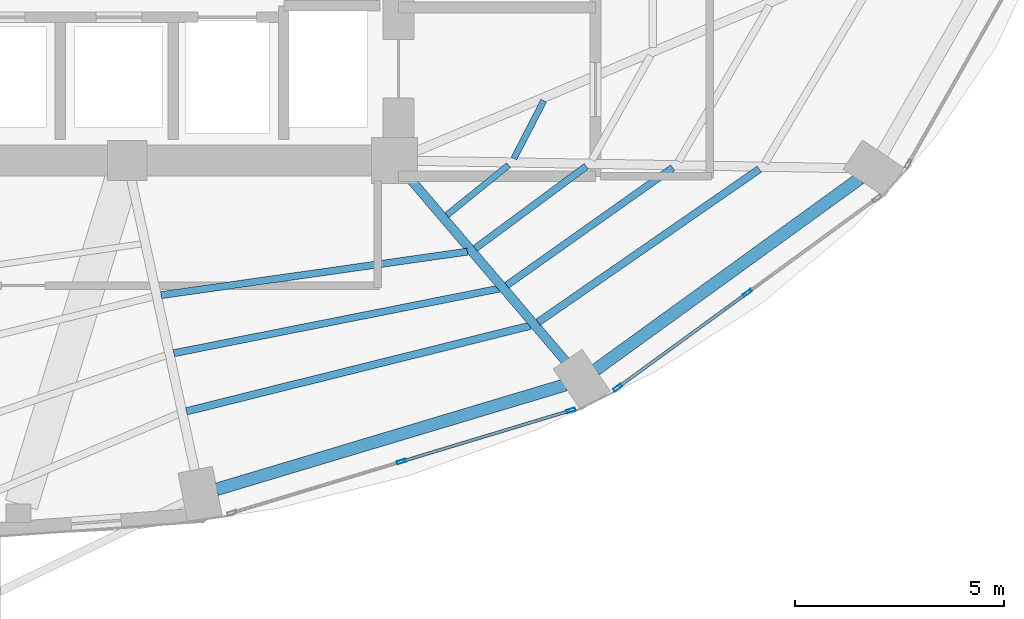
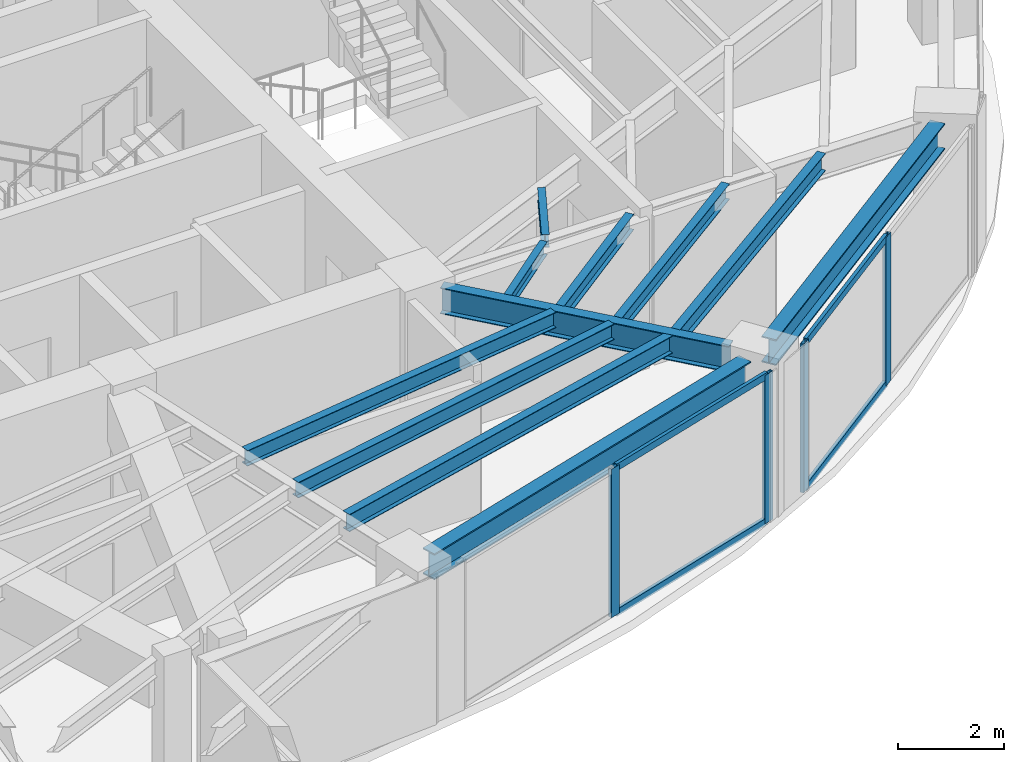
# One storey, part 10 of 23: 11 beams, 8 members, 2 elements without a shape of their own.
"""IFC4 building model written with IfcOpenShell, lengths in metres."""

from ifc_helpers import new_model, si_unit, direction, frame, origin, origin_2d, place, context, subcontext, project, spatial, hollow_rectangle, i_section, extrude, material, layer, layer_set, material_profile, profile_set, type_object, element, aggregate, save


model = new_model("IFC4")

# Units and contexts
model_context = context("Model", 3, precision=1e-05, world=origin(), true_north=direction((0.0, 1.0)))
body_context = subcontext(model_context, "Body", "Model", "MODEL_VIEW")
ifc_project = project(units=[si_unit("LENGTHUNIT", "METRE"), si_unit("AREAUNIT", "SQUARE_METRE"), si_unit("VOLUMEUNIT", "CUBIC_METRE"), si_unit("PLANEANGLEUNIT", "RADIAN"), si_unit("MASSUNIT", "GRAM", prefix="KILO")], contexts=[model_context])

# Site, building, storey
site_placement = place(None, origin())
site = spatial("IfcSite", under=ifc_project, at=site_placement, CompositionType="ELEMENT")
building_placement = place(site_placement, origin())
building = spatial("IfcBuilding", under=site, at=building_placement, Name="Lazwardi Medical Tower", CompositionType="ELEMENT")
storey_placement = place(building_placement, frame((0.0, 0.0, 125.52001953125)))
storey = spatial("IfcBuildingStorey", under=building, at=storey_placement, Name="L32", CompositionType="ELEMENT", Elevation=125.52001953125)

# Beams
ifc_material_1 = material(Name="Steel S355", Category="steel")
ifc_material_profile_1 = material_profile(ifc_material_1, i_section(OverallWidth=0.300048828125, OverallDepth=0.60009765625, WebThickness=0.015380859375, FlangeThickness=0.030029296875, at=origin_2d()), Name="HEB 600")
ifc_profile_set_1 = profile_set([ifc_material_profile_1], Name="Steel S355")
beam_type_1 = type_object("IfcBeamType", Name="BM-RB-Z2", PredefinedType="BEAM", material=ifc_profile_set_1)
beam_1_placement = place(storey_placement, frame((41.338134765625, 12.5205078125, 3.1279296875), z_axis=(0.957879438442, 0.287170648587, 0.0), x_axis=(-0.287170648587, 0.957879438442, 0.0)))
element("IfcBeam", 1, at=beam_1_placement, inside=storey, type_object=beam_type_1, Name="Ring beam RB-03 B01 L32", PredefinedType="BEAM", context=body_context, shape_type="SweptSolid", body=[
    extrude(i_section(OverallWidth=0.300048828125, OverallDepth=0.60009765625, WebThickness=0.015380859375, FlangeThickness=0.030029296875, at=origin_2d()), origin(), (0.0, 0.0, 1.0), 8.719970703125),
])
beam_2_placement = place(storey_placement, frame((50.415771484375, 15.3828125, 3.1279296875), z_axis=(0.810041907649, 0.586371987609, 0.0), x_axis=(-0.586371987609, 0.810041907649, 0.0)))
element("IfcBeam", 2, at=beam_2_placement, inside=storey, type_object=beam_type_1, Name="Ring beam RB-03 B02 L32", PredefinedType="BEAM", context=body_context, shape_type="SweptSolid", body=[
    extrude(i_section(OverallWidth=0.300048828125, OverallDepth=0.60009765625, WebThickness=0.015380859375, FlangeThickness=0.030029296875, at=origin_2d()), origin(), (0.0, 0.0, 1.0), 7.814208984375),
])
ifc_material_profile_2 = material_profile(ifc_material_1, i_section(OverallWidth=0.219970703125, OverallDepth=0.60009765625, WebThickness=0.011962890625, FlangeThickness=0.01904296875, at=origin_2d()), Name="IPE 600")
ifc_profile_set_2 = profile_set([ifc_material_profile_2], Name="Steel S355")
beam_type_2 = type_object("IfcBeamType", Name="BM-RG-W1", PredefinedType="BEAM", material=ifc_profile_set_2)
beam_3_placement = place(storey_placement, frame((49.707275390625, 15.583740234375, 3.1279296875), z_axis=(-0.648870567436, 0.760898801889, 0.0), x_axis=(-0.760898801889, -0.648870567436, 0.0)))
element("IfcBeam", 3, at=beam_3_placement, inside=storey, type_object=beam_type_2, Name="Radial girder RG-02 R02 L32", PredefinedType="BEAM", context=body_context, shape_type="SweptSolid", body=[
    extrude(i_section(OverallWidth=0.219970703125, OverallDepth=0.60009765625, WebThickness=0.011962890625, FlangeThickness=0.01904296875, at=origin_2d()), origin(), (0.0, 0.0, 1.0), 5.794677734375),
])
ifc_material_profile_3 = material_profile(ifc_material_1, i_section(OverallWidth=0.179931640625, OverallDepth=0.39990234375, WebThickness=0.008544921875, FlangeThickness=0.013427734375, at=origin_2d()), Name="IPE 400")
ifc_profile_set_3 = profile_set([ifc_material_profile_3], Name="Steel S355")
beam_type_3 = type_object("IfcBeamType", Name="BM-SJ-01", PredefinedType="JOIST", material=ifc_profile_set_3)
beam_4_placement = place(storey_placement, frame((40.618896484375, 14.390869140625, 3.22802734375), z_axis=(0.970400881943, 0.241499748081, 0.0), x_axis=(-0.241499748081, 0.970400881943, 0.0)))
element("IfcBeam", 4, at=beam_4_placement, inside=storey, type_object=beam_type_3, Name="Secondary joist SJ-01 R1 B01 L32", PredefinedType="JOIST", context=body_context, shape_type="SweptSolid", body=[
    extrude(i_section(OverallWidth=0.179931640625, OverallDepth=0.39990234375, WebThickness=0.008544921875, FlangeThickness=0.013427734375, at=origin_2d()), origin(), (0.0, 0.0, 1.0), 8.48583984375),
])
beam_5_placement = place(storey_placement, frame((49.04150390625, 16.525390625, 3.22802734375), z_axis=(0.822376339068, 0.568943896128, 0.0), x_axis=(-0.568943896128, 0.822376339068, 0.0)))
element("IfcBeam", 5, at=beam_5_placement, inside=storey, type_object=beam_type_3, Name="Secondary joist SJ-01 R1 B02 L32", PredefinedType="JOIST", context=body_context, shape_type="SweptSolid", body=[
    extrude(i_section(OverallWidth=0.179931640625, OverallDepth=0.39990234375, WebThickness=0.008544921875, FlangeThickness=0.013427734375, at=origin_2d()), origin(), (0.0, 0.0, 1.0), 6.44189453125),
])
ifc_material_profile_4 = material_profile(ifc_material_1, i_section(OverallWidth=0.169921875, OverallDepth=0.360107421875, WebThickness=0.008056640625, FlangeThickness=0.0126953125, at=origin_2d()), Name="IPE 360")
ifc_profile_set_4 = profile_set([ifc_material_profile_4], Name="Steel S355")
beam_type_4 = type_object("IfcBeamType", Name="BM-SJ-02", PredefinedType="JOIST", material=ifc_profile_set_4)
beam_6_placement = place(storey_placement, frame((40.315185546875, 15.7822265625, 3.248046875), z_axis=(0.980878853282, 0.194619308352, 0.0), x_axis=(-0.194619308352, 0.980878853282, 0.0)))
element("IfcBeam", 6, at=beam_6_placement, inside=storey, type_object=beam_type_4, Name="Secondary joist SJ-02 R2 B01 L32", PredefinedType="JOIST", context=body_context, shape_type="SweptSolid", body=[
    extrude(i_section(OverallWidth=0.169921875, OverallDepth=0.360107421875, WebThickness=0.008056640625, FlangeThickness=0.0126953125, at=origin_2d()), origin(), (0.0, 0.0, 1.0), 7.93701171875),
])
beam_7_placement = place(storey_placement, frame((48.2890625, 17.408203125, 3.248046875), z_axis=(0.816156371539, 0.577831097464, 0.0), x_axis=(-0.577831097464, 0.816156371539, 0.0)))
element("IfcBeam", 7, at=beam_7_placement, inside=storey, type_object=beam_type_4, Name="Secondary joist SJ-02 R2 B02 L32", PredefinedType="JOIST", context=body_context, shape_type="SweptSolid", body=[
    extrude(i_section(OverallWidth=0.169921875, OverallDepth=0.360107421875, WebThickness=0.008056640625, FlangeThickness=0.0126953125, at=origin_2d()), origin(), (0.0, 0.0, 1.0), 4.8740234375),
])
beam_8_placement = place(storey_placement, frame((40.011474609375, 17.1728515625, 3.248046875), z_axis=(0.990067108571, 0.140595592128, 0.0), x_axis=(-0.140595592128, 0.990067108571, 0.0)))
element("IfcBeam", 8, at=beam_8_placement, inside=storey, type_object=beam_type_4, Name="Secondary joist SJ-02 R3 B01 L32", PredefinedType="JOIST", context=body_context, shape_type="SweptSolid", body=[
    extrude(i_section(OverallWidth=0.169921875, OverallDepth=0.360107421875, WebThickness=0.008056640625, FlangeThickness=0.0126953125, at=origin_2d()), origin(), (0.0, 0.0, 1.0), 7.409423828125),
])
beam_9_placement = place(storey_placement, frame((47.53564453125, 18.291748046875, 3.248046875), z_axis=(0.804125525058, 0.594459536008, 0.0), x_axis=(-0.594459536008, 0.804125525058, 0.0)))
element("IfcBeam", 9, at=beam_9_placement, inside=storey, type_object=beam_type_4, Name="Secondary joist SJ-02 R3 B02 L32", PredefinedType="JOIST", context=body_context, shape_type="SweptSolid", body=[
    extrude(i_section(OverallWidth=0.169921875, OverallDepth=0.360107421875, WebThickness=0.008056640625, FlangeThickness=0.0126953125, at=origin_2d()), origin(), (0.0, 0.0, 1.0), 3.30810546875),
])
ifc_material_profile_5 = material_profile(ifc_material_1, i_section(OverallWidth=0.14990234375, OverallDepth=0.300048828125, WebThickness=0.007080078125, FlangeThickness=0.0107421875, at=origin_2d()), Name="IPE 300")
ifc_profile_set_5 = profile_set([ifc_material_profile_5], Name="Steel S355")
beam_type_5 = type_object("IfcBeamType", Name="BM-SJ-03", PredefinedType="JOIST", material=ifc_profile_set_5)
beam_10_placement = place(storey_placement, frame((46.85595703125, 19.089111328125, 3.278076171875), z_axis=(0.77695773322, 0.629552762515, 0.0), x_axis=(-0.629552762515, 0.77695773322, 0.0)))
element("IfcBeam", 10, at=beam_10_placement, inside=storey, type_object=beam_type_5, Name="Secondary joist SJ-03 R4 B02 L32", PredefinedType="JOIST", context=body_context, shape_type="SweptSolid", body=[
    extrude(i_section(OverallWidth=0.14990234375, OverallDepth=0.300048828125, WebThickness=0.007080078125, FlangeThickness=0.0107421875, at=origin_2d()), origin(), (0.0, 0.0, 1.0), 1.9013671875),
])
beam_11_placement = place(storey_placement, frame((48.462890625, 20.445556640625, 3.278076171875), z_axis=(0.457956589674, 0.888974556427, 0.0), x_axis=(-0.888974556427, 0.457956589674, 0.0)))
element("IfcBeam", 11, at=beam_11_placement, inside=storey, type_object=beam_type_5, Name="Secondary joist SJ-03 R4 B03 L32", PredefinedType="JOIST", context=body_context, shape_type="SweptSolid", body=[
    extrude(i_section(OverallWidth=0.14990234375, OverallDepth=0.300048828125, WebThickness=0.007080078125, FlangeThickness=0.0107421875, at=origin_2d()), origin(), (0.0, 0.0, 1.0), 1.558837890625),
])

# Curtain wall, members
ifc_material_2 = material(Name="Anodised bronze aluminium and solar control glazing", Category="aluminium")
ifc_layer = layer(ifc_material_2, 0.195068359375)
ifc_layer_set = layer_set([ifc_layer], Name="Anodised bronze aluminium and solar control glazing")
curtain_wall_type = type_object("IfcCurtainWallType", Name="CW-SYS-03", PredefinedType="NOTDEFINED", material=ifc_layer_set)
curtain_wall_1_placement = place(storey_placement, origin())
curtain_wall_1 = element("IfcCurtainWall", 12, at=curtain_wall_1_placement, inside=storey, type_object=curtain_wall_type, Name="L32 Unitised bronze curtain wall CW-03", PredefinedType="NOTDEFINED")
ifc_material_3 = material(Name="Anodised bronze aluminium", Category="aluminium")
ifc_material_profile_6 = material_profile(ifc_material_3, hollow_rectangle(XDim=0.074951171875, YDim=0.219970703125, WallThickness=0.00390625, at=origin_2d()), Name="ALU-MULLION 220x75x4")
ifc_profile_set_6 = profile_set([ifc_material_profile_6], Name="Anodised bronze aluminium")
member_type_1 = type_object("IfcMemberType", Name="CW-MUL-01", PredefinedType="MULLION", material=ifc_profile_set_6)
member_1_placement = place(storey_placement, frame((45.769287109375, 13.18701171875, 0.0), z_axis=(0.0, 0.0, 1.0), x_axis=(-0.28937381157, 0.957216170558, 0.0)))
member_1 = element("IfcMember", 13, at=member_1_placement, type_object=member_type_1, Name="CW-03 mullion 2", PredefinedType="MULLION", context=body_context, shape_type="SweptSolid", body=[
    extrude(hollow_rectangle(XDim=0.074951171875, YDim=0.219970703125, WallThickness=0.00390625, at=origin_2d()), origin(), (0.0, 0.0, 1.0), 3.427978515625),
])
member_2_placement = place(storey_placement, frame((49.828369140625, 14.4140625, 0.0), z_axis=(0.0, 0.0, 1.0), x_axis=(-0.28937381157, 0.957216170558, 0.0)))
member_2 = element("IfcMember", 14, at=member_2_placement, type_object=member_type_1, Name="CW-03 mullion 3", PredefinedType="MULLION", context=body_context, shape_type="SweptSolid", body=[
    extrude(hollow_rectangle(XDim=0.074951171875, YDim=0.219970703125, WallThickness=0.00390625, at=origin_2d()), origin(), (0.0, 0.0, 1.0), 3.427978515625),
])

curtain_wall_2_placement = place(storey_placement, origin())
curtain_wall_2 = element("IfcCurtainWall", 15, at=curtain_wall_2_placement, inside=storey, type_object=curtain_wall_type, Name="L32 Unitised bronze curtain wall CW-03", PredefinedType="NOTDEFINED")
member_3_placement = place(storey_placement, frame((50.947265625, 14.96044921875, 0.0), z_axis=(0.0, 0.0, 1.0), x_axis=(-0.589530882802, 0.807745837639, 0.0)))
member_3 = element("IfcMember", 16, at=member_3_placement, type_object=member_type_1, Name="CW-03 mullion 1", PredefinedType="MULLION", context=body_context, shape_type="SweptSolid", body=[
    extrude(hollow_rectangle(XDim=0.074951171875, YDim=0.219970703125, WallThickness=0.00390625, at=origin_2d()), origin(), (0.0, 0.0, 1.0), 3.427978515625),
])
member_4_placement = place(storey_placement, frame((54.051025390625, 17.225830078125, 0.0), z_axis=(0.0, 0.0, 1.0), x_axis=(-0.589530882802, 0.807745837639, 0.0)))
member_4 = element("IfcMember", 17, at=member_4_placement, type_object=member_type_1, Name="CW-03 mullion 2", PredefinedType="MULLION", context=body_context, shape_type="SweptSolid", body=[
    extrude(hollow_rectangle(XDim=0.074951171875, YDim=0.219970703125, WallThickness=0.00390625, at=origin_2d()), origin(), (0.0, 0.0, 1.0), 3.427978515625),
])

# Member
ifc_material_profile_7 = material_profile(ifc_material_3, hollow_rectangle(XDim=0.074951171875, YDim=0.159912109375, WallThickness=0.00390625, at=origin_2d()), Name="ALU-TRANSOM 160x75x4")
ifc_profile_set_7 = profile_set([ifc_material_profile_7], Name="Anodised bronze aluminium")
member_type_2 = type_object("IfcMemberType", Name="CW-TRN-01", PredefinedType="USERDEFINED", material=ifc_profile_set_7)
member_5_placement = place(storey_placement, frame((45.80517578125, 13.19775390625, 0.03759765625), z_axis=(0.957220865985, 0.289358279168, 0.0), x_axis=(-0.289358279168, 0.957220865985, 0.0)))
member_5 = element("IfcMember", 18, at=member_5_placement, type_object=member_type_2, Name="CW-03 transom 2.1", ObjectType="TRANSOM", PredefinedType="USERDEFINED", context=body_context, shape_type="SweptSolid", body=[
    extrude(hollow_rectangle(XDim=0.074951171875, YDim=0.159912109375, WallThickness=0.00390625, at=origin_2d()), origin(), (0.0, 0.0, 1.0), 4.16552734375),
])

member_6_placement = place(storey_placement, frame((45.80517578125, 13.19775390625, 3.390380859375), z_axis=(0.957220865985, 0.289358279168, 0.0), x_axis=(-0.289358279168, 0.957220865985, 0.0)))
member_6 = element("IfcMember", 19, at=member_6_placement, type_object=member_type_2, Name="CW-03 transom 2.2", ObjectType="TRANSOM", PredefinedType="USERDEFINED", context=body_context, shape_type="SweptSolid", body=[
    extrude(hollow_rectangle(XDim=0.074951171875, YDim=0.159912109375, WallThickness=0.00390625, at=origin_2d()), origin(), (0.0, 0.0, 1.0), 4.16552734375),
])

aggregate(curtain_wall_1, [member_1, member_2, member_5, member_6])

member_7_placement = place(storey_placement, frame((50.9775390625, 14.982421875, 0.03759765625), z_axis=(0.807731734271, 0.589550206049, 0.0), x_axis=(-0.589550206049, 0.807731734271, 0.0)))
member_7 = element("IfcMember", 20, at=member_7_placement, type_object=member_type_2, Name="CW-03 transom 1.1", ObjectType="TRANSOM", PredefinedType="USERDEFINED", context=body_context, shape_type="SweptSolid", body=[
    extrude(hollow_rectangle(XDim=0.074951171875, YDim=0.159912109375, WallThickness=0.00390625, at=origin_2d()), origin(), (0.0, 0.0, 1.0), 3.767578125),
])

member_8_placement = place(storey_placement, frame((50.9775390625, 14.982421875, 3.390380859375), z_axis=(0.807731734271, 0.589550206049, 0.0), x_axis=(-0.589550206049, 0.807731734271, 0.0)))
member_8 = element("IfcMember", 21, at=member_8_placement, type_object=member_type_2, Name="CW-03 transom 1.2", ObjectType="TRANSOM", PredefinedType="USERDEFINED", context=body_context, shape_type="SweptSolid", body=[
    extrude(hollow_rectangle(XDim=0.074951171875, YDim=0.159912109375, WallThickness=0.00390625, at=origin_2d()), origin(), (0.0, 0.0, 1.0), 3.767578125),
])

aggregate(curtain_wall_2, [member_3, member_4, member_7, member_8])

save(model, "model.ifc")
